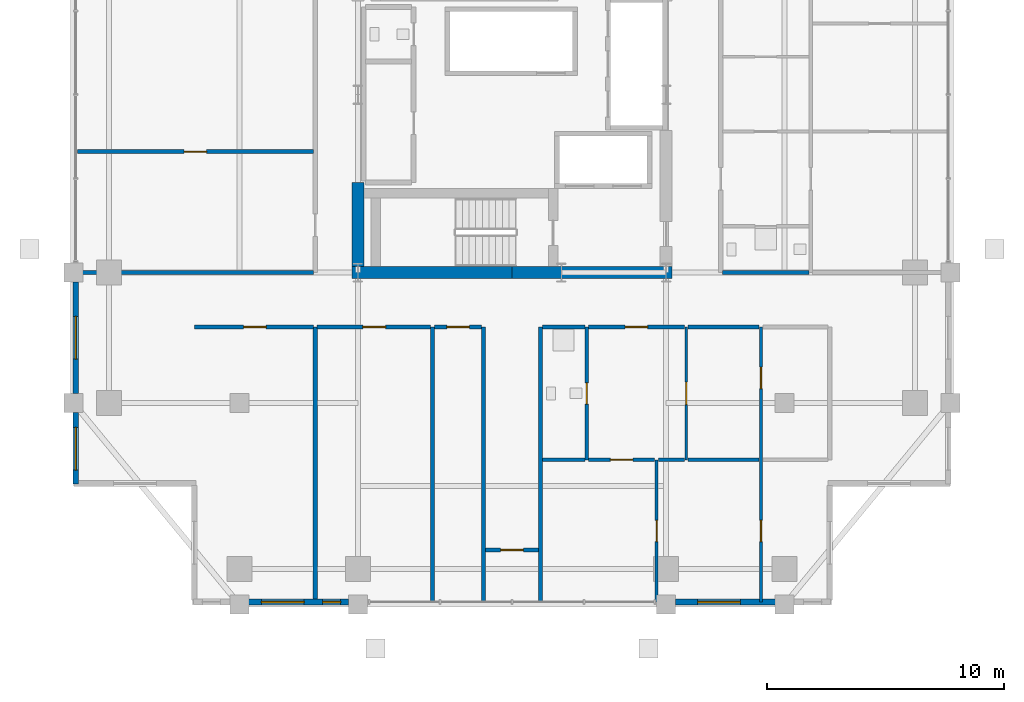
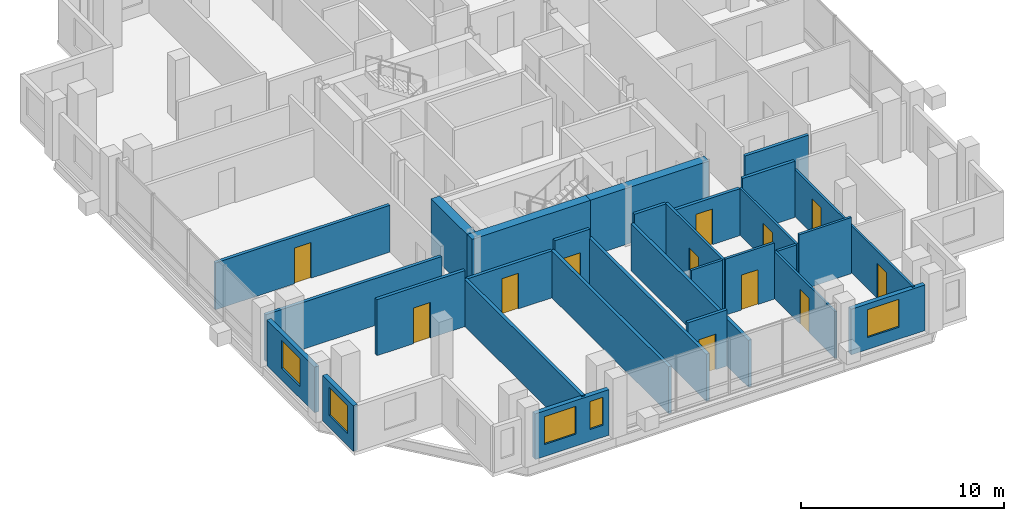
# One storey, part 18 of 24: 29 walls, 12 doors, 5 windows, 17 openings.
"""IFC4 building model written with IfcOpenShell, lengths in metres."""

from ifc_helpers import new_model, si_unit, direction, frame, frame_2d, origin, place, context, subcontext, project, spatial, rectangle, extrude, material, layer, layer_set, type_object, element, fill, save


model = new_model("IFC4")

# Units and contexts
model_context = context("Model", 3, precision=1e-05, world=origin(), true_north=direction((0.0, 1.0)))
body_context = subcontext(model_context, "Body", "Model", "MODEL_VIEW")
ifc_project = project(units=[si_unit("LENGTHUNIT", "METRE"), si_unit("AREAUNIT", "SQUARE_METRE"), si_unit("VOLUMEUNIT", "CUBIC_METRE"), si_unit("PLANEANGLEUNIT", "RADIAN"), si_unit("MASSUNIT", "GRAM", prefix="KILO")], contexts=[model_context])

# Site, building, storey
site_placement = place(None, origin())
site = spatial("IfcSite", under=ifc_project, at=site_placement, CompositionType="ELEMENT")
building_placement = place(site_placement, origin())
building = spatial("IfcBuilding", under=site, at=building_placement, Name="Barlavira Tower and Art Museum", CompositionType="ELEMENT")
storey_placement = place(building_placement, frame((0.0, 0.0, 180.0)))
storey = spatial("IfcBuildingStorey", under=building, at=storey_placement, Name="L46", CompositionType="ELEMENT", Elevation=180.0)

# Wall, opening, door
ifc_material_1 = material(Name="Gypsum acoustic stud partition", Category="gypsum")
ifc_layer_1 = layer(ifc_material_1, 0.1201171875, Name="Gypsum acoustic stud partition")
ifc_layer_set_1 = layer_set([ifc_layer_1], Name="Gypsum acoustic stud partition")
wall_type_1 = type_object("IfcWallType", Name="Apartment Internal Acoustic Partition 120", PredefinedType="PARTITIONING", material=ifc_layer_set_1)
wall_1_placement = place(storey_placement, frame((6.10009765625, -21.39990234375, 0.0), z_axis=(0.0, 0.0, 1.0), x_axis=(0.0, 1.0, 0.0)))
wall_1 = element("IfcWall", 1, at=wall_1_placement, inside=storey, type_object=wall_type_1, Name="L46 Partition Wall 15", PredefinedType="PARTITIONING", context=body_context, shape_type="SweptSolid", body=[
    extrude(rectangle(XDim=6.0, YDim=0.1201171875, at=frame_2d((3.0, 0.0))), origin(), (0.0, 0.0, 1.0), 2.825927734375),
])
opening_1_placement = place(wall_1_placement, frame((2.550048828125, 0.0, 0.0)))
opening_1 = element("IfcOpeningElement", 2, at=opening_1_placement, cuts=wall_1, Name="Opening D-01", PredefinedType="OPENING", context=body_context, shape_type="SweptSolid", body=[
    extrude(rectangle(XDim=0.89990234375, YDim=2.10009765625, at=frame_2d((0.449951171875, 1.050048828125))), frame((0.0, 0.070068359375, 0.0), z_axis=(0.0, -1.0, 0.0), x_axis=(1.0, 0.0, 0.0)), (0.0, 0.0, 1.0), 0.14013671875),
])
ifc_material_2 = material(Name="Engineered coastal hardwood", Category="wood")
door_type_1 = type_object("IfcDoorType", Name="Internal Bedroom Timber Flush Door 900x2100", OperationType="NOTDEFINED", PredefinedType="DOOR", material=ifc_material_2)
door_1_placement = place(opening_1_placement, origin())
door_1 = element("IfcDoor", 3, at=door_1_placement, inside=storey, type_object=door_type_1, Name="Apartment SE1 Bedroom 1 Door", OperationType="SINGLE_SWING_LEFT", OverallHeight=2.10009765625, OverallWidth=0.89990234375, PredefinedType="DOOR", context=body_context, shape_type="SweptSolid", body=[
    extrude(rectangle(XDim=0.89990234375, YDim=2.10009765625, at=frame_2d((0.449951171875, 1.050048828125))), frame((0.0, 0.02490234375, 0.0), z_axis=(0.0, -1.0, 0.0), x_axis=(1.0, 0.0, 0.0)), (0.0, 0.0, 1.0), 0.050048828125),
])
fill(opening_1, door_1)

wall_2_placement = place(storey_placement, frame((7.35009765625, -15.39990234375, 0.0), z_axis=(0.0, 0.0, 1.0), x_axis=(0.0, 1.0, 0.0)))
wall_2 = element("IfcWall", 4, at=wall_2_placement, inside=storey, type_object=wall_type_1, Name="L46 Partition Wall 17", PredefinedType="PARTITIONING", context=body_context, shape_type="SweptSolid", body=[
    extrude(rectangle(XDim=5.599853515625, YDim=0.1201171875, at=frame_2d((2.7998046875, 0.0))), origin(), (0.0, 0.0, 1.0), 2.825927734375),
])
opening_2_placement = place(wall_2_placement, frame((2.324951171875, 0.0, 0.0)))
opening_2 = element("IfcOpeningElement", 5, at=opening_2_placement, cuts=wall_2, Name="Opening D-02", PredefinedType="OPENING", context=body_context, shape_type="SweptSolid", body=[
    extrude(rectangle(XDim=0.949951171875, YDim=2.10009765625, at=frame_2d((0.47509765625, 1.050048828125))), frame((0.0, 0.070068359375, 0.0), z_axis=(0.0, -1.0, 0.0), x_axis=(1.0, 0.0, 0.0)), (0.0, 0.0, 1.0), 0.14013671875),
])
door_type_2 = type_object("IfcDoorType", Name="Living and Salon Glazed-Leaf Door 950x2100", OperationType="NOTDEFINED", PredefinedType="DOOR", material=ifc_material_2)
door_2_placement = place(opening_2_placement, origin())
door_2 = element("IfcDoor", 6, at=door_2_placement, inside=storey, type_object=door_type_2, Name="Apartment SE1 Kitchen Door", OperationType="SINGLE_SWING_RIGHT", OverallHeight=2.10009765625, OverallWidth=0.949951171875, PredefinedType="DOOR", context=body_context, shape_type="SweptSolid", body=[
    extrude(rectangle(XDim=0.949951171875, YDim=2.10009765625, at=frame_2d((0.47509765625, 1.050048828125))), frame((0.0, 0.02490234375, 0.0), z_axis=(0.0, -1.0, 0.0), x_axis=(1.0, 0.0, 0.0)), (0.0, 0.0, 1.0), 0.050048828125),
])
fill(opening_2, door_2)

# Wall, openings, doors
wall_3_placement = place(storey_placement, frame((10.5, -21.39990234375, 0.0), z_axis=(0.0, 0.0, 1.0), x_axis=(0.0, 1.0, 0.0)))
wall_3 = element("IfcWall", 7, at=wall_3_placement, inside=storey, type_object=wall_type_1, Name="L46 Partition Wall 20", PredefinedType="PARTITIONING", context=body_context, shape_type="SweptSolid", body=[
    extrude(rectangle(XDim=11.599853515625, YDim=0.1201171875, at=frame_2d((5.7998046875, 0.0))), origin(), (0.0, 0.0, 1.0), 2.825927734375),
])
opening_3_placement = place(wall_3_placement, frame((9.005859375, 0.0, 0.0)))
opening_3 = element("IfcOpeningElement", 8, at=opening_3_placement, cuts=wall_3, Name="Opening D-01", PredefinedType="OPENING", context=body_context, shape_type="SweptSolid", body=[
    extrude(rectangle(XDim=0.89990234375, YDim=2.10009765625, at=frame_2d((0.449951171875, 1.050048828125))), frame((0.0, 0.070068359375, 0.0), z_axis=(0.0, -1.0, 0.0), x_axis=(1.0, 0.0, 0.0)), (0.0, 0.0, 1.0), 0.14013671875),
])
opening_4_placement = place(wall_3_placement, frame((2.550048828125, 0.0, 0.0)))
opening_4 = element("IfcOpeningElement", 9, at=opening_4_placement, cuts=wall_3, Name="Opening D-01", PredefinedType="OPENING", context=body_context, shape_type="SweptSolid", body=[
    extrude(rectangle(XDim=0.89990234375, YDim=2.10009765625, at=frame_2d((0.449951171875, 1.050048828125))), frame((0.0, 0.070068359375, 0.0), z_axis=(0.0, -1.0, 0.0), x_axis=(1.0, 0.0, 0.0)), (0.0, 0.0, 1.0), 0.14013671875),
])
door_3_placement = place(opening_3_placement, origin())
door_3 = element("IfcDoor", 10, at=door_3_placement, inside=storey, type_object=door_type_1, Name="Apartment SE1 Walk-In Dressing Room Door", OperationType="SINGLE_SWING_LEFT", OverallHeight=2.10009765625, OverallWidth=0.89990234375, PredefinedType="DOOR", context=body_context, shape_type="SweptSolid", body=[
    extrude(rectangle(XDim=0.89990234375, YDim=2.10009765625, at=frame_2d((0.449951171875, 1.050048828125))), frame((0.0, 0.02490234375, 0.0), z_axis=(0.0, -1.0, 0.0), x_axis=(1.0, 0.0, 0.0)), (0.0, 0.0, 1.0), 0.050048828125),
])
fill(opening_3, door_3)
door_4_placement = place(opening_4_placement, origin())
door_4 = element("IfcDoor", 11, at=door_4_placement, inside=storey, type_object=door_type_1, Name="Apartment SE1 Bedroom 2 Door", OperationType="SINGLE_SWING_RIGHT", OverallHeight=2.10009765625, OverallWidth=0.89990234375, PredefinedType="DOOR", context=body_context, shape_type="SweptSolid", body=[
    extrude(rectangle(XDim=0.89990234375, YDim=2.10009765625, at=frame_2d((0.449951171875, 1.050048828125))), frame((0.0, 0.02490234375, 0.0), z_axis=(0.0, -1.0, 0.0), x_axis=(1.0, 0.0, 0.0)), (0.0, 0.0, 1.0), 0.050048828125),
])
fill(opening_4, door_4)

# Walls
ifc_material_3 = material(Name="Concrete C60", Category="concrete")
ifc_layer_2 = layer(ifc_material_3, 0.5, Name="Concrete C60")
ifc_layer_set_2 = layer_set([ifc_layer_2], Name="Concrete C60")
wall_type_2 = type_object("IfcWallType", Name="Core Structural Shear Wall 500 Concrete C60", PredefinedType="SHEAR", material=ifc_layer_set_2)
for number, where, z_axis, x_axis, name in (
    (12, (-6.75, -7.5, 0.0), (0.0, 0.0, 1.0), (1.0, 0.0, 0.0), "L46 Core Shear Wall CS-SW"),
    (13, (0.0, -7.5, 0.0), (0.0, 0.0, 1.0), (1.0, 0.0, 0.0), "L46 Core Shear Wall CS-SE"),
):
    element("IfcWall", number, at=place(storey_placement, frame(where, z_axis=z_axis, x_axis=x_axis)), inside=storey, type_object=wall_type_2, Name=name, PredefinedType="SHEAR", context=body_context, shape_type="SweptSolid", body=[
        extrude(rectangle(XDim=6.75, YDim=0.5, at=frame_2d((3.375, 0.0))), origin(), (0.0, 0.0, 1.0), 3.3798828125),
    ])
wall_4_placement = place(storey_placement, frame((-6.5, -7.25, 0.0), z_axis=(0.0, 0.0, 1.0), x_axis=(0.0, 1.0, 0.0)))
element("IfcWall", 14, at=wall_4_placement, inside=storey, type_object=wall_type_2, Name="L46 Core Shear Wall CS-W1", PredefinedType="SHEAR", context=body_context, shape_type="SweptSolid", body=[
    extrude(rectangle(XDim=3.550048828125, YDim=0.5, at=frame_2d((1.77490234375, 0.0))), origin(), (0.0, 0.0, 1.0), 3.3798828125),
])
ifc_layer_3 = layer(ifc_material_1, 0.179931640625, Name="Gypsum acoustic stud partition")
ifc_layer_set_3 = layer_set([ifc_layer_3], Name="Gypsum acoustic stud partition")
wall_type_3 = type_object("IfcWallType", Name="Inter-Tenancy Party Partition Wall 180", PredefinedType="PARTITIONING", material=ifc_layer_set_3)
for number, where, z_axis, x_axis, name in (
    (15, (-8.300048828125, -21.39990234375, 0.0), (0.0, 0.0, 1.0), (0.0, 1.0, 0.0), "L46 Partition Wall 1"),
    (16, (-3.35009765625, -21.39990234375, 0.0), (0.0, 0.0, 1.0), (0.0, 1.0, 0.0), "L46 Partition Wall 6"),
    (17, (-1.199951171875, -21.39990234375, 0.0), (0.0, 0.0, 1.0), (0.0, 1.0, 0.0), "L46 Partition Wall 8"),
    (18, (1.199951171875, -21.39990234375, 0.0), (0.0, 0.0, 1.0), (0.0, 1.0, 0.0), "L46 Partition Wall 10"),
):
    element("IfcWall", number, at=place(storey_placement, frame(where, z_axis=z_axis, x_axis=x_axis)), inside=storey, type_object=wall_type_3, Name=name, PredefinedType="PARTITIONING", context=body_context, shape_type="SweptSolid", body=[
        extrude(rectangle(XDim=11.599853515625, YDim=0.179931640625, at=frame_2d((5.7998046875, 0.0))), origin(), (0.0, 0.0, 1.0), 2.825927734375),
    ])

# Wall, opening, door
wall_5_placement = place(storey_placement, frame((-1.1201171875, -19.199951171875, 0.0), z_axis=(0.0, 0.0, 1.0), x_axis=(1.0, 0.0, 0.0)))
wall_5 = element("IfcWall", 19, at=wall_5_placement, inside=storey, type_object=wall_type_3, Name="L46 Partition Wall 25", PredefinedType="PARTITIONING", context=body_context, shape_type="SweptSolid", body=[
    extrude(rectangle(XDim=2.240234375, YDim=0.179931640625, at=frame_2d((1.1201171875, 0.0))), origin(), (0.0, 0.0, 1.0), 3.3798828125),
])
opening_5_placement = place(wall_5_placement, frame((0.64501953125, 0.0, 0.0)))
opening_5 = element("IfcOpeningElement", 20, at=opening_5_placement, cuts=wall_5, Name="Opening FD-60", PredefinedType="OPENING", context=body_context, shape_type="SweptSolid", body=[
    extrude(rectangle(XDim=0.949951171875, YDim=2.14990234375, at=frame_2d((0.47509765625, 1.074951171875))), frame((0.0, 0.10009765625, 0.0), z_axis=(0.0, -1.0, 0.0), x_axis=(1.0, 0.0, 0.0)), (0.0, 0.0, 1.0), 0.199951171875),
])
ifc_material_4 = material(Name="Brushed stainless steel", Category="steel")
door_type_3 = type_object("IfcDoorType", Name="Apartment Entrance and Riser Fire Door 950x2150 FD60S", OperationType="NOTDEFINED", PredefinedType="DOOR", material=ifc_material_4)
door_5_placement = place(opening_5_placement, origin())
door_5 = element("IfcDoor", 21, at=door_5_placement, inside=storey, type_object=door_type_3, Name="L46 South Horizon Reading Alcove Door", OperationType="SINGLE_SWING_RIGHT", OverallHeight=2.14990234375, OverallWidth=0.949951171875, PredefinedType="DOOR", context=body_context, shape_type="SweptSolid", body=[
    extrude(rectangle(XDim=0.949951171875, YDim=2.14990234375, at=frame_2d((0.47509765625, 1.074951171875))), frame((0.0, 0.02490234375, 0.0), z_axis=(0.0, -1.0, 0.0), x_axis=(1.0, 0.0, 0.0)), (0.0, 0.0, 1.0), 0.050048828125),
])
fill(opening_5, door_5)

wall_6_placement = place(storey_placement, frame((-13.39990234375, -9.800048828125, 0.0), z_axis=(0.0, 0.0, 1.0), x_axis=(1.0, 0.0, 0.0)))
wall_6 = element("IfcWall", 22, at=wall_6_placement, inside=storey, type_object=wall_type_3, Name="L46 Partition Wall 31", PredefinedType="PARTITIONING", context=body_context, shape_type="SweptSolid", body=[
    extrude(rectangle(XDim=5.02001953125, YDim=0.179931640625, at=frame_2d((2.510009765625, 0.0))), origin(), (0.0, 0.0, 1.0), 3.3798828125),
])
opening_6_placement = place(wall_6_placement, frame((2.0849609375, 0.0, 0.0)))
opening_6 = element("IfcOpeningElement", 23, at=opening_6_placement, cuts=wall_6, Name="Opening FD-60", PredefinedType="OPENING", context=body_context, shape_type="SweptSolid", body=[
    extrude(rectangle(XDim=0.949951171875, YDim=2.14990234375, at=frame_2d((0.47509765625, 1.074951171875))), frame((0.0, 0.10009765625, 0.0), z_axis=(0.0, -1.0, 0.0), x_axis=(1.0, 0.0, 0.0)), (0.0, 0.0, 1.0), 0.199951171875),
])
door_6_placement = place(opening_6_placement, origin())
door_6 = element("IfcDoor", 24, at=door_6_placement, inside=storey, type_object=door_type_3, Name="Resident Sky Coworking Studio Door", OperationType="SINGLE_SWING_LEFT", OverallHeight=2.14990234375, OverallWidth=0.949951171875, PredefinedType="DOOR", context=body_context, shape_type="SweptSolid", body=[
    extrude(rectangle(XDim=0.949951171875, YDim=2.14990234375, at=frame_2d((0.47509765625, 1.074951171875))), frame((0.0, 0.02490234375, 0.0), z_axis=(0.0, -1.0, 0.0), x_axis=(1.0, 0.0, 0.0)), (0.0, 0.0, 1.0), 0.050048828125),
])
fill(opening_6, door_6)

wall_7_placement = place(storey_placement, frame((-8.219970703125, -9.800048828125, 0.0), z_axis=(0.0, 0.0, 1.0), x_axis=(1.0, 0.0, 0.0)))
wall_7 = element("IfcWall", 25, at=wall_7_placement, inside=storey, type_object=wall_type_3, Name="L46 Partition Wall 32", PredefinedType="PARTITIONING", context=body_context, shape_type="SweptSolid", body=[
    extrude(rectangle(XDim=4.7900390625, YDim=0.179931640625, at=frame_2d((2.39501953125, 0.0))), origin(), (0.0, 0.0, 1.0), 2.825927734375),
])
opening_7_placement = place(wall_7_placement, frame((1.93505859375, 0.0, 0.0)))
opening_7 = element("IfcOpeningElement", 26, at=opening_7_placement, cuts=wall_7, Name="Opening FD-60", PredefinedType="OPENING", context=body_context, shape_type="SweptSolid", body=[
    extrude(rectangle(XDim=0.949951171875, YDim=2.14990234375, at=frame_2d((0.47509765625, 1.074951171875))), frame((0.0, 0.10009765625, 0.0), z_axis=(0.0, -1.0, 0.0), x_axis=(1.0, 0.0, 0.0)), (0.0, 0.0, 1.0), 0.199951171875),
])
door_7_placement = place(opening_7_placement, origin())
door_7 = element("IfcDoor", 27, at=door_7_placement, inside=storey, type_object=door_type_3, Name="Atlantic Horizon Boardroom Door", OperationType="SINGLE_SWING_RIGHT", OverallHeight=2.14990234375, OverallWidth=0.949951171875, PredefinedType="DOOR", context=body_context, shape_type="SweptSolid", body=[
    extrude(rectangle(XDim=0.949951171875, YDim=2.14990234375, at=frame_2d((0.47509765625, 1.074951171875))), frame((0.0, 0.02490234375, 0.0), z_axis=(0.0, -1.0, 0.0), x_axis=(1.0, 0.0, 0.0)), (0.0, 0.0, 1.0), 0.050048828125),
])
fill(opening_7, door_7)

wall_8_placement = place(storey_placement, frame((-3.27001953125, -9.800048828125, 0.0), z_axis=(0.0, 0.0, 1.0), x_axis=(1.0, 0.0, 0.0)))
wall_8 = element("IfcWall", 28, at=wall_8_placement, inside=storey, type_object=wall_type_3, Name="L46 Partition Wall 33", PredefinedType="PARTITIONING", context=body_context, shape_type="SweptSolid", body=[
    extrude(rectangle(XDim=1.989990234375, YDim=0.179931640625, at=frame_2d((0.9951171875, 0.0))), origin(), (0.0, 0.0, 1.0), 3.3798828125),
])
opening_8_placement = place(wall_8_placement, frame((0.52490234375, 0.0, 0.0)))
opening_8 = element("IfcOpeningElement", 29, at=opening_8_placement, cuts=wall_8, Name="Opening FD-60", PredefinedType="OPENING", context=body_context, shape_type="SweptSolid", body=[
    extrude(rectangle(XDim=0.949951171875, YDim=2.14990234375, at=frame_2d((0.47509765625, 1.074951171875))), frame((0.0, 0.10009765625, 0.0), z_axis=(0.0, -1.0, 0.0), x_axis=(1.0, 0.0, 0.0)), (0.0, 0.0, 1.0), 0.199951171875),
])
door_8_placement = place(opening_8_placement, origin())
door_8 = element("IfcDoor", 30, at=door_8_placement, inside=storey, type_object=door_type_3, Name="Shared Coworking Espresso Pantry Door", OperationType="SINGLE_SWING_LEFT", OverallHeight=2.14990234375, OverallWidth=0.949951171875, PredefinedType="DOOR", context=body_context, shape_type="SweptSolid", body=[
    extrude(rectangle(XDim=0.949951171875, YDim=2.14990234375, at=frame_2d((0.47509765625, 1.074951171875))), frame((0.0, 0.02490234375, 0.0), z_axis=(0.0, -1.0, 0.0), x_axis=(1.0, 0.0, 0.0)), (0.0, 0.0, 1.0), 0.050048828125),
])
fill(opening_8, door_8)

# Wall
wall_9_placement = place(storey_placement, frame((1.280029296875, -9.800048828125, 0.0), z_axis=(0.0, 0.0, 1.0), x_axis=(1.0, 0.0, 0.0)))
element("IfcWall", 31, at=wall_9_placement, inside=storey, type_object=wall_type_3, Name="L46 Partition Wall 34", PredefinedType="PARTITIONING", context=body_context, shape_type="SweptSolid", body=[
    extrude(rectangle(XDim=1.7900390625, YDim=0.179931640625, at=frame_2d((0.89501953125, 0.0))), origin(), (0.0, 0.0, 1.0), 3.3798828125),
])

# Wall, opening, door
wall_10_placement = place(storey_placement, frame((3.22998046875, -9.800048828125, 0.0), z_axis=(0.0, 0.0, 1.0), x_axis=(1.0, 0.0, 0.0)))
wall_10 = element("IfcWall", 32, at=wall_10_placement, inside=storey, type_object=wall_type_3, Name="L46 Partition Wall 35", PredefinedType="PARTITIONING", context=body_context, shape_type="SweptSolid", body=[
    extrude(rectangle(XDim=4.0400390625, YDim=0.179931640625, at=frame_2d((2.02001953125, 0.0))), origin(), (0.0, 0.0, 1.0), 2.825927734375),
])
opening_9_placement = place(wall_10_placement, frame((1.544921875, 0.0, 0.0)))
opening_9 = element("IfcOpeningElement", 33, at=opening_9_placement, cuts=wall_10, Name="Opening FD-60", PredefinedType="OPENING", context=body_context, shape_type="SweptSolid", body=[
    extrude(rectangle(XDim=0.949951171875, YDim=2.14990234375, at=frame_2d((0.47509765625, 1.074951171875))), frame((0.0, 0.10009765625, 0.0), z_axis=(0.0, -1.0, 0.0), x_axis=(1.0, 0.0, 0.0)), (0.0, 0.0, 1.0), 0.199951171875),
])
door_9_placement = place(opening_9_placement, origin())
door_9 = element("IfcDoor", 34, at=door_9_placement, inside=storey, type_object=door_type_3, Name="Apartment Entrance Hall SE1 Door", OperationType="SINGLE_SWING_LEFT", OverallHeight=2.14990234375, OverallWidth=0.949951171875, PredefinedType="DOOR", context=body_context, shape_type="SweptSolid", body=[
    extrude(rectangle(XDim=0.949951171875, YDim=2.14990234375, at=frame_2d((0.47509765625, 1.074951171875))), frame((0.0, 0.02490234375, 0.0), z_axis=(0.0, -1.0, 0.0), x_axis=(1.0, 0.0, 0.0)), (0.0, 0.0, 1.0), 0.050048828125),
])
fill(opening_9, door_9)

# Walls
wall_11_placement = place(storey_placement, frame((7.429931640625, -9.800048828125, 0.0), z_axis=(0.0, 0.0, 1.0), x_axis=(1.0, 0.0, 0.0)))
element("IfcWall", 35, at=wall_11_placement, inside=storey, type_object=wall_type_3, Name="L46 Partition Wall 36", PredefinedType="PARTITIONING", context=body_context, shape_type="SweptSolid", body=[
    extrude(rectangle(XDim=2.989990234375, YDim=0.179931640625, at=frame_2d((1.4951171875, 0.0))), origin(), (0.0, 0.0, 1.0), 3.3798828125),
])
wall_12_placement = place(storey_placement, frame((-18.39990234375, -7.5, 0.0), z_axis=(0.0, 0.0, 1.0), x_axis=(1.0, 0.0, 0.0)))
element("IfcWall", 36, at=wall_12_placement, inside=storey, type_object=wall_type_3, Name="L46 Partition Wall 38", PredefinedType="PARTITIONING", context=body_context, shape_type="SweptSolid", body=[
    extrude(rectangle(XDim=10.02001953125, YDim=0.179931640625, at=frame_2d((5.010009765625, 0.0))), origin(), (0.0, 0.0, 1.0), 2.825927734375),
])
wall_13_placement = place(storey_placement, frame((8.8798828125, -7.5, 0.0), z_axis=(0.0, 0.0, 1.0), x_axis=(1.0, 0.0, 0.0)))
element("IfcWall", 37, at=wall_13_placement, inside=storey, type_object=wall_type_3, Name="L46 Partition Wall 39", PredefinedType="PARTITIONING", context=body_context, shape_type="SweptSolid", body=[
    extrude(rectangle(XDim=3.64013671875, YDim=0.179931640625, at=frame_2d((1.820068359375, 0.0))), origin(), (0.0, 0.0, 1.0), 2.825927734375),
])

# Wall, opening, door
wall_14_placement = place(storey_placement, frame((-18.320068359375, -2.39990234375, 0.0), z_axis=(0.0, 0.0, 1.0), x_axis=(1.0, 0.0, 0.0)))
wall_14 = element("IfcWall", 38, at=wall_14_placement, inside=storey, type_object=wall_type_3, Name="L46 Partition Wall 43", PredefinedType="PARTITIONING", context=body_context, shape_type="SweptSolid", body=[
    extrude(rectangle(XDim=9.940185546875, YDim=0.179931640625, at=frame_2d((4.97021484375, 0.0))), origin(), (0.0, 0.0, 1.0), 2.825927734375),
])
opening_10_placement = place(wall_14_placement, frame((4.4951171875, 0.0, 0.0)))
opening_10 = element("IfcOpeningElement", 39, at=opening_10_placement, cuts=wall_14, Name="Opening FD-60", PredefinedType="OPENING", context=body_context, shape_type="SweptSolid", body=[
    extrude(rectangle(XDim=0.949951171875, YDim=2.14990234375, at=frame_2d((0.47509765625, 1.074951171875))), frame((0.0, 0.10009765625, 0.0), z_axis=(0.0, -1.0, 0.0), x_axis=(1.0, 0.0, 0.0)), (0.0, 0.0, 1.0), 0.199951171875),
])
door_10_placement = place(opening_10_placement, origin())
door_10 = element("IfcDoor", 40, at=door_10_placement, inside=storey, type_object=door_type_3, Name="Private Coastal Dining Salon Door", OperationType="SINGLE_SWING_RIGHT", OverallHeight=2.14990234375, OverallWidth=0.949951171875, PredefinedType="DOOR", context=body_context, shape_type="SweptSolid", body=[
    extrude(rectangle(XDim=0.949951171875, YDim=2.14990234375, at=frame_2d((0.47509765625, 1.074951171875))), frame((0.0, 0.02490234375, 0.0), z_axis=(0.0, -1.0, 0.0), x_axis=(1.0, 0.0, 0.0)), (0.0, 0.0, 1.0), 0.050048828125),
])
fill(opening_10, door_10)

ifc_layer_4 = layer(ifc_material_1, 0.139892578125, Name="Gypsum acoustic stud partition")
ifc_layer_set_4 = layer_set([ifc_layer_4], Name="Gypsum acoustic stud partition")
wall_type_4 = type_object("IfcWallType", Name="Moisture-Resistant Bathroom Partition 140", PredefinedType="PARTITIONING", material=ifc_layer_set_4)
wall_15_placement = place(storey_placement, frame((3.14990234375, -15.39990234375, 0.0), z_axis=(0.0, 0.0, 1.0), x_axis=(0.0, 1.0, 0.0)))
wall_15 = element("IfcWall", 41, at=wall_15_placement, inside=storey, type_object=wall_type_4, Name="L46 Partition Wall 12", PredefinedType="PARTITIONING", context=body_context, shape_type="SweptSolid", body=[
    extrude(rectangle(XDim=5.599853515625, YDim=0.139892578125, at=frame_2d((2.7998046875, 0.0))), origin(), (0.0, 0.0, 1.0), 3.3798828125),
])
opening_11_placement = place(wall_15_placement, frame((2.35009765625, 0.0, 0.0)))
opening_11 = element("IfcOpeningElement", 42, at=opening_11_placement, cuts=wall_15, Name="Opening D-WC", PredefinedType="OPENING", context=body_context, shape_type="SweptSolid", body=[
    extrude(rectangle(XDim=0.89990234375, YDim=2.10009765625, at=frame_2d((0.449951171875, 1.050048828125))), frame((0.0, 0.080078125, 0.0), z_axis=(0.0, -1.0, 0.0), x_axis=(1.0, 0.0, 0.0)), (0.0, 0.0, 1.0), 0.159912109375),
])
door_type_4 = type_object("IfcDoorType", Name="Accessible Bathroom Flush Door 900x2100", OperationType="NOTDEFINED", PredefinedType="DOOR", material=ifc_material_2)
door_11_placement = place(opening_11_placement, origin())
door_11 = element("IfcDoor", 43, at=door_11_placement, inside=storey, type_object=door_type_4, Name="Apartment SE1 Hall Bathroom Door", OperationType="SINGLE_SWING_RIGHT", OverallHeight=2.10009765625, OverallWidth=0.89990234375, PredefinedType="DOOR", context=body_context, shape_type="SweptSolid", body=[
    extrude(rectangle(XDim=0.89990234375, YDim=2.10009765625, at=frame_2d((0.449951171875, 1.050048828125))), frame((0.0, 0.02490234375, 0.0), z_axis=(0.0, -1.0, 0.0), x_axis=(1.0, 0.0, 0.0)), (0.0, 0.0, 1.0), 0.050048828125),
])
fill(opening_11, door_11)

# Wall
wall_16_placement = place(storey_placement, frame((1.280029296875, -15.39990234375, 0.0), z_axis=(0.0, 0.0, 1.0), x_axis=(1.0, 0.0, 0.0)))
element("IfcWall", 44, at=wall_16_placement, inside=storey, type_object=wall_type_4, Name="L46 Partition Wall 26", PredefinedType="PARTITIONING", context=body_context, shape_type="SweptSolid", body=[
    extrude(rectangle(XDim=1.7900390625, YDim=0.139892578125, at=frame_2d((0.89501953125, 0.0))), origin(), (0.0, 0.0, 1.0), 3.3798828125),
])

# Wall, opening, door
wall_17_placement = place(storey_placement, frame((3.22998046875, -15.39990234375, 0.0), z_axis=(0.0, 0.0, 1.0), x_axis=(1.0, 0.0, 0.0)))
wall_17 = element("IfcWall", 45, at=wall_17_placement, inside=storey, type_object=wall_type_4, Name="L46 Partition Wall 27", PredefinedType="PARTITIONING", context=body_context, shape_type="SweptSolid", body=[
    extrude(rectangle(XDim=2.7900390625, YDim=0.139892578125, at=frame_2d((1.39501953125, 0.0))), origin(), (0.0, 0.0, 1.0), 3.3798828125),
])
opening_12_placement = place(wall_17_placement, frame((0.9150390625, 0.0, 0.0)))
opening_12 = element("IfcOpeningElement", 46, at=opening_12_placement, cuts=wall_17, Name="Opening D-02", PredefinedType="OPENING", context=body_context, shape_type="SweptSolid", body=[
    extrude(rectangle(XDim=0.949951171875, YDim=2.10009765625, at=frame_2d((0.47509765625, 1.050048828125))), frame((0.0, 0.080078125, 0.0), z_axis=(0.0, -1.0, 0.0), x_axis=(1.0, 0.0, 0.0)), (0.0, 0.0, 1.0), 0.159912109375),
])
door_12_placement = place(opening_12_placement, origin())
door_12 = element("IfcDoor", 47, at=door_12_placement, inside=storey, type_object=door_type_2, Name="Apartment SE1 Living Lounge Door", OperationType="SINGLE_SWING_RIGHT", OverallHeight=2.10009765625, OverallWidth=0.949951171875, PredefinedType="DOOR", context=body_context, shape_type="SweptSolid", body=[
    extrude(rectangle(XDim=0.949951171875, YDim=2.10009765625, at=frame_2d((0.47509765625, 1.050048828125))), frame((0.0, 0.02490234375, 0.0), z_axis=(0.0, -1.0, 0.0), x_axis=(1.0, 0.0, 0.0)), (0.0, 0.0, 1.0), 0.050048828125),
])
fill(opening_12, door_12)

# Walls
wall_18_placement = place(storey_placement, frame((6.179931640625, -15.39990234375, 0.0), z_axis=(0.0, 0.0, 1.0), x_axis=(1.0, 0.0, 0.0)))
element("IfcWall", 48, at=wall_18_placement, inside=storey, type_object=wall_type_4, Name="L46 Partition Wall 28", PredefinedType="PARTITIONING", context=body_context, shape_type="SweptSolid", body=[
    extrude(rectangle(XDim=1.090087890625, YDim=0.139892578125, at=frame_2d((0.544921875, 0.0))), origin(), (0.0, 0.0, 1.0), 2.825927734375),
])
wall_19_placement = place(storey_placement, frame((7.429931640625, -15.39990234375, 0.0), z_axis=(0.0, 0.0, 1.0), x_axis=(1.0, 0.0, 0.0)))
element("IfcWall", 49, at=wall_19_placement, inside=storey, type_object=wall_type_4, Name="L46 Partition Wall 29", PredefinedType="PARTITIONING", context=body_context, shape_type="SweptSolid", body=[
    extrude(rectangle(XDim=2.989990234375, YDim=0.139892578125, at=frame_2d((1.4951171875, 0.0))), origin(), (0.0, 0.0, 1.0), 3.3798828125),
])

# Wall, openings, windows
ifc_material_5 = material(Name="Precast concrete C40", Category="concrete")
ifc_layer_5 = layer(ifc_material_5, 0.25, Name="Precast concrete C40")
ifc_layer_set_5 = layer_set([ifc_layer_5], Name="Precast concrete C40")
wall_type_5 = type_object("IfcWallType", Name="Notched Corner Spandrel Wall 250 Precast Concrete C40", PredefinedType="SOLIDWALL", material=ifc_layer_set_5)
wall_20_placement = place(storey_placement, frame((-11.10498046875, -21.39990234375, 0.0), z_axis=(0.0, 0.0, 1.0), x_axis=(1.0, 0.0, 0.0)))
wall_20 = element("IfcWall", 50, at=wall_20_placement, inside=storey, type_object=wall_type_5, Name="L46 Coastal Facade Pier Wall CW3-L46-S-2", PredefinedType="SOLIDWALL", context=body_context, shape_type="SweptSolid", body=[
    extrude(rectangle(XDim=4.2099609375, YDim=0.25, at=frame_2d((2.10498046875, 0.0))), origin(), (0.0, 0.0, 1.0), 2.748046875),
])
opening_13_placement = place(wall_20_placement, frame((0.534912109375, 0.0, 0.719970703125)))
opening_13 = element("IfcOpeningElement", 51, at=opening_13_placement, cuts=wall_20, Name="Opening WN-01", PredefinedType="OPENING", context=body_context, shape_type="SweptSolid", body=[
    extrude(rectangle(XDim=1.800048828125, YDim=1.679931640625, at=frame_2d((0.89990234375, 0.83984375))), frame((0.0, 0.135009765625, 0.0), z_axis=(0.0, -1.0, 0.0), x_axis=(1.0, 0.0, 0.0)), (0.0, 0.0, 1.0), 0.27001953125),
])
opening_14_placement = place(wall_20_placement, frame((3.114990234375, 0.0, 0.719970703125)))
opening_14 = element("IfcOpeningElement", 52, at=opening_14_placement, cuts=wall_20, Name="Opening WN-06", PredefinedType="OPENING", context=body_context, shape_type="SweptSolid", body=[
    extrude(rectangle(XDim=0.760009765625, YDim=1.679931640625, at=frame_2d((0.3798828125, 0.83984375))), frame((0.0, 0.135009765625, 0.0), z_axis=(0.0, -1.0, 0.0), x_axis=(1.0, 0.0, 0.0)), (0.0, 0.0, 1.0), 0.27001953125),
])
ifc_material_6 = material(Name="Low-iron coastal laminated glass", Category="glass")
window_type_1 = type_object("IfcWindowType", Name="Recessed Narrow Pier Window 760x1680", PartitioningType="SINGLE_PANEL", PredefinedType="WINDOW", material=ifc_material_6)
window_1_placement = place(opening_14_placement, origin())
window_1 = element("IfcWindow", 53, at=window_1_placement, inside=storey, type_object=window_type_1, Name="L46 Punched Facade Window EWP-CW3-L46-S-2-2", OverallHeight=1.679931640625, OverallWidth=0.760009765625, PartitioningType="SINGLE_PANEL", PredefinedType="WINDOW", context=body_context, shape_type="SweptSolid", body=[
    extrude(rectangle(XDim=0.760009765625, YDim=1.679931640625, at=frame_2d((0.3798828125, 0.83984375))), frame((0.0, 0.030029296875, 0.0), z_axis=(0.0, -1.0, 0.0), x_axis=(1.0, 0.0, 0.0)), (0.0, 0.0, 1.0), 0.06005859375),
])
fill(opening_14, window_1)
window_type_2 = type_object("IfcWindowType", Name="Recessed Notch Corner Punch Window 1800x1680", PartitioningType="SINGLE_PANEL", PredefinedType="WINDOW", material=ifc_material_6)
window_2_placement = place(opening_13_placement, origin())
window_2 = element("IfcWindow", 54, at=window_2_placement, inside=storey, type_object=window_type_2, Name="L46 Punched Facade Window EWP-CW3-L46-S-2-1", OverallHeight=1.679931640625, OverallWidth=1.800048828125, PartitioningType="SINGLE_PANEL", PredefinedType="WINDOW", context=body_context, shape_type="SweptSolid", body=[
    extrude(rectangle(XDim=1.800048828125, YDim=1.679931640625, at=frame_2d((0.89990234375, 0.83984375))), frame((0.0, 0.030029296875, 0.0), z_axis=(0.0, -1.0, 0.0), x_axis=(1.0, 0.0, 0.0)), (0.0, 0.0, 1.0), 0.06005859375),
])
fill(opening_13, window_2)

# Wall, opening, window
wall_21_placement = place(storey_placement, frame((6.89501953125, -21.39990234375, 0.0), z_axis=(0.0, 0.0, 1.0), x_axis=(1.0, 0.0, 0.0)))
wall_21 = element("IfcWall", 55, at=wall_21_placement, inside=storey, type_object=wall_type_5, Name="L46 Coastal Facade Pier Wall CW3-L46-S-4", PredefinedType="SOLIDWALL", context=body_context, shape_type="SweptSolid", body=[
    extrude(rectangle(XDim=4.2099609375, YDim=0.25, at=frame_2d((2.10498046875, 0.0))), origin(), (0.0, 0.0, 1.0), 2.748046875),
])
opening_15_placement = place(wall_21_placement, frame((0.93505859375, 0.0, 0.719970703125)))
opening_15 = element("IfcOpeningElement", 56, at=opening_15_placement, cuts=wall_21, Name="Opening WN-01", PredefinedType="OPENING", context=body_context, shape_type="SweptSolid", body=[
    extrude(rectangle(XDim=1.800048828125, YDim=1.679931640625, at=frame_2d((0.89990234375, 0.83984375))), frame((0.0, 0.135009765625, 0.0), z_axis=(0.0, -1.0, 0.0), x_axis=(1.0, 0.0, 0.0)), (0.0, 0.0, 1.0), 0.27001953125),
])
window_3_placement = place(opening_15_placement, origin())
window_3 = element("IfcWindow", 57, at=window_3_placement, inside=storey, type_object=window_type_2, Name="L46 Punched Facade Window EWP-CW3-L46-S-4-1", OverallHeight=1.679931640625, OverallWidth=1.800048828125, PartitioningType="SINGLE_PANEL", PredefinedType="WINDOW", context=body_context, shape_type="SweptSolid", body=[
    extrude(rectangle(XDim=1.800048828125, YDim=1.679931640625, at=frame_2d((0.89990234375, 0.83984375))), frame((0.0, 0.030029296875, 0.0), z_axis=(0.0, -1.0, 0.0), x_axis=(1.0, 0.0, 0.0)), (0.0, 0.0, 1.0), 0.06005859375),
])
fill(opening_15, window_3)

wall_22_placement = place(storey_placement, frame((-18.39990234375, -7.89501953125, 0.0), z_axis=(0.0, 0.0, 1.0), x_axis=(0.0, -1.0, 0.0)))
wall_22 = element("IfcWall", 58, at=wall_22_placement, inside=storey, type_object=wall_type_5, Name="L46 Coastal Facade Pier Wall CW3-L46-W-4", PredefinedType="SOLIDWALL", context=body_context, shape_type="SweptSolid", body=[
    extrude(rectangle(XDim=4.7099609375, YDim=0.25, at=frame_2d((2.35498046875, 0.0))), origin(), (0.0, 0.0, 1.0), 2.748046875),
])
opening_16_placement = place(wall_22_placement, frame((1.455078125, 0.0, 0.719970703125)))
opening_16 = element("IfcOpeningElement", 59, at=opening_16_placement, cuts=wall_22, Name="Opening WN-01", PredefinedType="OPENING", context=body_context, shape_type="SweptSolid", body=[
    extrude(rectangle(XDim=1.800048828125, YDim=1.679931640625, at=frame_2d((0.89990234375, 0.83984375))), frame((0.0, 0.135009765625, 0.0), z_axis=(0.0, -1.0, 0.0), x_axis=(1.0, 0.0, 0.0)), (0.0, 0.0, 1.0), 0.27001953125),
])
window_4_placement = place(opening_16_placement, origin())
window_4 = element("IfcWindow", 60, at=window_4_placement, inside=storey, type_object=window_type_2, Name="L46 Punched Facade Window EWP-CW3-L46-W-4-1", OverallHeight=1.679931640625, OverallWidth=1.800048828125, PartitioningType="SINGLE_PANEL", PredefinedType="WINDOW", context=body_context, shape_type="SweptSolid", body=[
    extrude(rectangle(XDim=1.800048828125, YDim=1.679931640625, at=frame_2d((0.89990234375, 0.83984375))), frame((0.0, 0.030029296875, 0.0), z_axis=(0.0, -1.0, 0.0), x_axis=(1.0, 0.0, 0.0)), (0.0, 0.0, 1.0), 0.06005859375),
])
fill(opening_16, window_4)

wall_23_placement = place(storey_placement, frame((-18.39990234375, -13.39501953125, 0.0), z_axis=(0.0, 0.0, 1.0), x_axis=(0.0, -1.0, 0.0)))
wall_23 = element("IfcWall", 61, at=wall_23_placement, inside=storey, type_object=wall_type_5, Name="L46 Coastal Facade Pier Wall CW3-L46-W-5", PredefinedType="SOLIDWALL", context=body_context, shape_type="SweptSolid", body=[
    extrude(rectangle(XDim=3.030029296875, YDim=0.25, at=frame_2d((1.51513671875, 0.0))), origin(), (0.0, 0.0, 1.0), 2.748046875),
])
opening_17_placement = place(wall_23_placement, frame((0.637939453125, 0.0, 0.719970703125)))
opening_17 = element("IfcOpeningElement", 62, at=opening_17_placement, cuts=wall_23, Name="Opening WN-01", PredefinedType="OPENING", context=body_context, shape_type="SweptSolid", body=[
    extrude(rectangle(XDim=1.800048828125, YDim=1.679931640625, at=frame_2d((0.89990234375, 0.83984375))), frame((0.0, 0.135009765625, 0.0), z_axis=(0.0, -1.0, 0.0), x_axis=(1.0, 0.0, 0.0)), (0.0, 0.0, 1.0), 0.27001953125),
])
window_5_placement = place(opening_17_placement, origin())
window_5 = element("IfcWindow", 63, at=window_5_placement, inside=storey, type_object=window_type_2, Name="L46 Punched Facade Window EWP-CW3-L46-W-5-1", OverallHeight=1.679931640625, OverallWidth=1.800048828125, PartitioningType="SINGLE_PANEL", PredefinedType="WINDOW", context=body_context, shape_type="SweptSolid", body=[
    extrude(rectangle(XDim=1.800048828125, YDim=1.679931640625, at=frame_2d((0.89990234375, 0.83984375))), frame((0.0, 0.030029296875, 0.0), z_axis=(0.0, -1.0, 0.0), x_axis=(1.0, 0.0, 0.0)), (0.0, 0.0, 1.0), 0.06005859375),
])
fill(opening_17, window_5)

save(model, "model.ifc")
